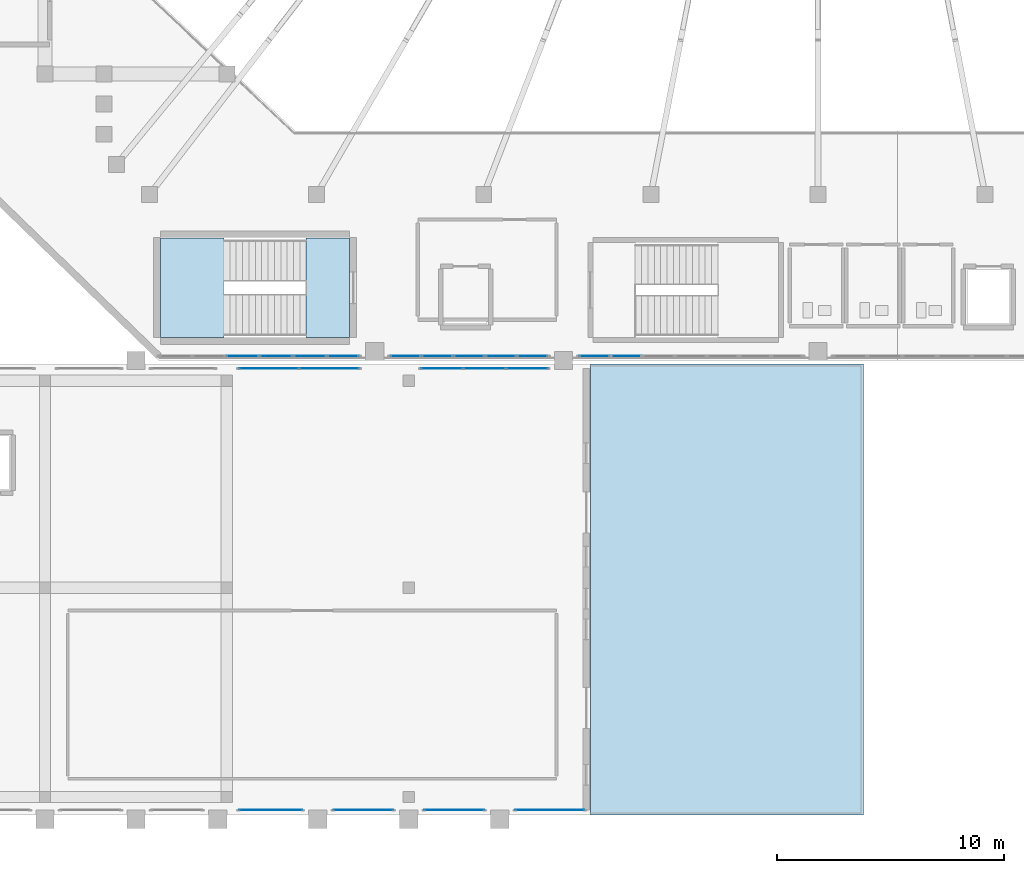
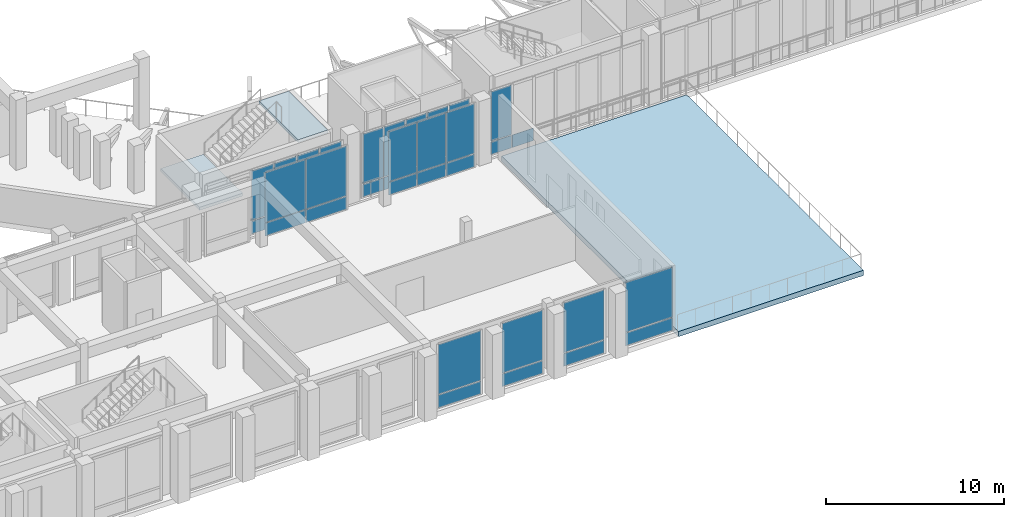
# One storey, part 42 of 79: 39 plates, 3 slabs, 10 elements without a shape of their own.
"""IFC4 building model written with IfcOpenShell, lengths in metres."""

from ifc_helpers import new_model, si_unit, derived_unit, direction, frame, origin, origin_2d, place, context, subcontext, project, spatial, polyline, rectangle, outline, extrude, material, layer, layer_set, type_object, element, aggregate, save


model = new_model("IFC4")

# Units and contexts
model_context = context("Model", 3, precision=1e-05, world=origin(), true_north=direction((0.0, 1.0)))
body_context = subcontext(model_context, "Body", "Model", "MODEL_VIEW")
ifc_project = project(units=[si_unit("LENGTHUNIT", "METRE"), si_unit("AREAUNIT", "SQUARE_METRE"), si_unit("VOLUMEUNIT", "CUBIC_METRE"), si_unit("PLANEANGLEUNIT", "RADIAN"), si_unit("MASSUNIT", "GRAM", prefix="KILO"), derived_unit("THERMALTRANSMITTANCEUNIT", [(si_unit("MASSUNIT", "GRAM", prefix="KILO"), 1), (si_unit("TIMEUNIT", "SECOND"), -3), (si_unit("THERMODYNAMICTEMPERATUREUNIT", "KELVIN"), -1)])], contexts=[model_context])

# Site, building, storey
site_placement = place(None, origin())
site = spatial("IfcSite", under=ifc_project, at=site_placement, CompositionType="ELEMENT")
building_placement = place(site_placement, origin())
building = spatial("IfcBuilding", under=site, at=building_placement, Name="Valcora Ridge Arena", CompositionType="ELEMENT")
storey_placement = place(building_placement, frame((0.0, 0.0, 16.199951171875)))
storey = spatial("IfcBuildingStorey", under=building, at=storey_placement, Name="L03", CompositionType="ELEMENT", Elevation=16.199951171875)

# Stair, slabs
ifc_material_1 = material(Name="Concrete C40/50", Category="concrete")
stair_type = type_object("IfcStairType", Name="TY-STAIR-ST01-48", PredefinedType="HALF_TURN_STAIR", material=ifc_material_1)
stair_placement = place(storey_placement, origin())
stair = element("IfcStair", 1, at=stair_placement, inside=storey, type_object=stair_type, Name="ST01-48 STR-CR-0005", PredefinedType="HALF_TURN_STAIR")
ifc_layer_1 = layer(ifc_material_1, 0.199951171875, Name="Concrete C40/50")
ifc_layer_set_1 = layer_set([ifc_layer_1], Name="Concrete C40/50")
slab_type_1 = type_object("IfcSlabType", Name="TY-LAND-ST01-48", PredefinedType="LANDING", material=ifc_layer_set_1)
slab_1_placement = place(storey_placement, frame((0.0, 0.0, 2.199951171875)))
slab_1 = element("IfcSlab", 2, at=slab_1_placement, type_object=slab_type_1, Name="ST01-48 landing 1", PredefinedType="LANDING", context=body_context, shape_type="SweptSolid", body=[
    extrude(outline(polyline([(29.08203125, 21.001953125), (31.8701171875, 21.001953125), (31.8701171875, 25.39794921875), (29.08203125, 25.39794921875), (29.08203125, 21.001953125)])), origin(), (0.0, 0.0, 1.0), 0.2001953125),
])
slab_2_placement = place(storey_placement, frame((0.0, 0.0, 4.60009765625)))
slab_2 = element("IfcSlab", 3, at=slab_2_placement, type_object=slab_type_1, Name="ST01-48 landing 2", PredefinedType="LANDING", context=body_context, shape_type="SweptSolid", body=[
    extrude(outline(polyline([(35.469970703125, 21.001953125), (37.39794921875, 21.001953125), (37.39794921875, 25.39794921875), (35.469970703125, 25.39794921875), (35.469970703125, 21.001953125)])), origin(), (0.0, 0.0, 1.0), 0.199951171875),
])
aggregate(stair, [slab_1, slab_2])

# Curtain wall, plates
ifc_material_2 = material(Name="Anodised dark bronze architectural aluminium 6063-T6", Category="aluminium")
ifc_layer_2 = layer(ifc_material_2, 0.179931640625, Name="Anodised dark bronze architectural aluminium 6063-T6")
ifc_layer_set_2 = layer_set([ifc_layer_2], Name="Anodised dark bronze architectural aluminium 6063-T6")
curtain_wall_type_1 = type_object("IfcCurtainWallType", Name="TY-CURTAINWALL-CW-V1-GOTH-070X44", PredefinedType="NOTDEFINED", material=ifc_layer_set_2)
curtain_wall_1_placement = place(storey_placement, origin())
curtain_wall_1 = element("IfcCurtainWall", 4, at=curtain_wall_1_placement, inside=storey, type_object=curtain_wall_type_1, Name="CW-V1-GOTH-070X44 CW-0137", PredefinedType="NOTDEFINED")
ifc_material_3 = material(Name="Low-iron solar-control double glazing SHGC 0.28", Category="glass")
ifc_layer_3 = layer(ifc_material_3, 0.031982421875, Name="Low-iron solar-control double glazing SHGC 0.28")
ifc_layer_set_3 = layer_set([ifc_layer_3], Name="Low-iron solar-control double glazing SHGC 0.28")
plate_type_1 = type_object("IfcPlateType", Name="TY-PLT-CWP-1314X0860", PredefinedType="CURTAIN_PANEL", material=ifc_layer_set_3)
plate_1_placement = place(storey_placement, frame((39.85693359375, 20.199951171875, 0.06005859375), z_axis=(0.0, 0.0, 1.0), x_axis=(1.0, 0.0, 0.0)))
plate_1 = element("IfcPlate", 5, at=plate_1_placement, type_object=plate_type_1, Name="CW-0137/P00-00", PredefinedType="CURTAIN_PANEL", context=body_context, shape_type="SweptSolid", body=[
    extrude(rectangle(XDim=1.31396484375, YDim=0.031982421875, at=origin_2d()), origin(), (0.0, 0.0, 1.0), 0.860107421875),
])
plate_2_placement = place(storey_placement, frame((45.443115234375, 20.199951171875, 0.06005859375), z_axis=(0.0, 0.0, 1.0), x_axis=(1.0, 0.0, 0.0)))
plate_2 = element("IfcPlate", 6, at=plate_2_placement, type_object=plate_type_1, Name="CW-0137/P04-00", PredefinedType="CURTAIN_PANEL", context=body_context, shape_type="SweptSolid", body=[
    extrude(rectangle(XDim=1.31396484375, YDim=0.031982421875, at=origin_2d()), origin(), (0.0, 0.0, 1.0), 0.860107421875),
])
ifc_layer_4 = layer(ifc_material_3, 0.031982421875, Name="Low-iron solar-control double glazing SHGC 0.28")
ifc_layer_set_4 = layer_set([ifc_layer_4], Name="Low-iron solar-control double glazing SHGC 0.28")
plate_type_2 = type_object("IfcPlateType", Name="TY-PLT-CWP-1314X3400", PredefinedType="CURTAIN_PANEL", material=ifc_layer_set_4)
plate_3_placement = place(storey_placement, frame((39.85693359375, 20.199951171875, 0.97998046875), z_axis=(0.0, 0.0, 1.0), x_axis=(1.0, 0.0, 0.0)))
plate_3 = element("IfcPlate", 7, at=plate_3_placement, type_object=plate_type_2, Name="CW-0137/P00-01", PredefinedType="CURTAIN_PANEL", context=body_context, shape_type="SweptSolid", body=[
    extrude(rectangle(XDim=1.31396484375, YDim=0.031982421875, at=origin_2d()), origin(), (0.0, 0.0, 1.0), 3.39990234375),
])
plate_4_placement = place(storey_placement, frame((45.443115234375, 20.199951171875, 0.97998046875), z_axis=(0.0, 0.0, 1.0), x_axis=(1.0, 0.0, 0.0)))
plate_4 = element("IfcPlate", 8, at=plate_4_placement, type_object=plate_type_2, Name="CW-0137/P04-01", PredefinedType="CURTAIN_PANEL", context=body_context, shape_type="SweptSolid", body=[
    extrude(rectangle(XDim=1.31396484375, YDim=0.031982421875, at=origin_2d()), origin(), (0.0, 0.0, 1.0), 3.39990234375),
])

ifc_layer_5 = layer(ifc_material_2, 0.179931640625, Name="Anodised dark bronze architectural aluminium 6063-T6")
ifc_layer_set_5 = layer_set([ifc_layer_5], Name="Anodised dark bronze architectural aluminium 6063-T6")
curtain_wall_type_2 = type_object("IfcCurtainWallType", Name="TY-CURTAINWALL-CW-V1-GOTH-099X44", PredefinedType="NOTDEFINED", material=ifc_layer_set_5)
curtain_wall_2_placement = place(storey_placement, origin())
curtain_wall_2 = element("IfcCurtainWall", 9, at=curtain_wall_2_placement, inside=storey, type_object=curtain_wall_type_2, Name="CW-V1-GOTH-099X44 CW-0138", PredefinedType="NOTDEFINED")
ifc_layer_6 = layer(ifc_material_3, 0.031982421875, Name="Low-iron solar-control double glazing SHGC 0.28")
ifc_layer_set_6 = layer_set([ifc_layer_6], Name="Low-iron solar-control double glazing SHGC 0.28")
plate_type_3 = type_object("IfcPlateType", Name="TY-PLT-CWP-1327X0860", PredefinedType="CURTAIN_PANEL", material=ifc_layer_set_6)
plate_5_placement = place(storey_placement, frame((48.16357421875, 20.199951171875, 0.06005859375), z_axis=(0.0, 0.0, 1.0), x_axis=(1.0, 0.0, 0.0)))
plate_5 = element("IfcPlate", 10, at=plate_5_placement, type_object=plate_type_3, Name="CW-0138/P00-00", PredefinedType="CURTAIN_PANEL", context=body_context, shape_type="SweptSolid", body=[
    extrude(rectangle(XDim=1.326904296875, YDim=0.031982421875, at=origin_2d()), origin(), (0.0, 0.0, 1.0), 0.860107421875),
])
ifc_layer_7 = layer(ifc_material_3, 0.031982421875, Name="Low-iron solar-control double glazing SHGC 0.28")
ifc_layer_set_7 = layer_set([ifc_layer_7], Name="Low-iron solar-control double glazing SHGC 0.28")
plate_type_4 = type_object("IfcPlateType", Name="TY-PLT-CWP-1327X3400", PredefinedType="CURTAIN_PANEL", material=ifc_layer_set_7)
plate_6_placement = place(storey_placement, frame((48.16357421875, 20.199951171875, 0.97998046875), z_axis=(0.0, 0.0, 1.0), x_axis=(1.0, 0.0, 0.0)))
plate_6 = element("IfcPlate", 11, at=plate_6_placement, type_object=plate_type_4, Name="CW-0138/P00-01", PredefinedType="CURTAIN_PANEL", context=body_context, shape_type="SweptSolid", body=[
    extrude(rectangle(XDim=1.326904296875, YDim=0.031982421875, at=origin_2d()), origin(), (0.0, 0.0, 1.0), 3.39990234375),
])

# Plate
ifc_layer_8 = layer(ifc_material_3, 0.031982421875, Name="Low-iron solar-control double glazing SHGC 0.28")
ifc_layer_set_8 = layer_set([ifc_layer_8], Name="Low-iron solar-control double glazing SHGC 0.28")
plate_type_5 = type_object("IfcPlateType", Name="TY-PLT-CWP-1344X0860", PredefinedType="CURTAIN_PANEL", material=ifc_layer_set_8)
plate_7_placement = place(storey_placement, frame((41.24609375, 20.199951171875, 0.06005859375), z_axis=(0.0, 0.0, 1.0), x_axis=(1.0, 0.0, 0.0)))
plate_7 = element("IfcPlate", 12, at=plate_7_placement, type_object=plate_type_5, Name="CW-0137/P01-00", PredefinedType="CURTAIN_PANEL", context=body_context, shape_type="SweptSolid", body=[
    extrude(rectangle(XDim=1.343994140625, YDim=0.031982421875, at=origin_2d()), origin(), (0.0, 0.0, 1.0), 0.860107421875),
])

plate_8_placement = place(storey_placement, frame((42.64990234375, 20.199951171875, 0.06005859375), z_axis=(0.0, 0.0, 1.0), x_axis=(1.0, 0.0, 0.0)))
plate_8 = element("IfcPlate", 13, at=plate_8_placement, type_object=plate_type_5, Name="CW-0137/P02-00", PredefinedType="CURTAIN_PANEL", context=body_context, shape_type="SweptSolid", body=[
    extrude(rectangle(XDim=1.343994140625, YDim=0.031982421875, at=origin_2d()), origin(), (0.0, 0.0, 1.0), 0.860107421875),
])

plate_9_placement = place(storey_placement, frame((44.053955078125, 20.199951171875, 0.06005859375), z_axis=(0.0, 0.0, 1.0), x_axis=(1.0, 0.0, 0.0)))
plate_9 = element("IfcPlate", 14, at=plate_9_placement, type_object=plate_type_5, Name="CW-0137/P03-00", PredefinedType="CURTAIN_PANEL", context=body_context, shape_type="SweptSolid", body=[
    extrude(rectangle(XDim=1.343994140625, YDim=0.031982421875, at=origin_2d()), origin(), (0.0, 0.0, 1.0), 0.860107421875),
])

ifc_layer_9 = layer(ifc_material_3, 0.031982421875, Name="Low-iron solar-control double glazing SHGC 0.28")
ifc_layer_set_9 = layer_set([ifc_layer_9], Name="Low-iron solar-control double glazing SHGC 0.28")
plate_type_6 = type_object("IfcPlateType", Name="TY-PLT-CWP-1344X3400", PredefinedType="CURTAIN_PANEL", material=ifc_layer_set_9)
plate_10_placement = place(storey_placement, frame((41.24609375, 20.199951171875, 0.97998046875), z_axis=(0.0, 0.0, 1.0), x_axis=(1.0, 0.0, 0.0)))
plate_10 = element("IfcPlate", 15, at=plate_10_placement, type_object=plate_type_6, Name="CW-0137/P01-01", PredefinedType="CURTAIN_PANEL", context=body_context, shape_type="SweptSolid", body=[
    extrude(rectangle(XDim=1.343994140625, YDim=0.031982421875, at=origin_2d()), origin(), (0.0, 0.0, 1.0), 3.39990234375),
])

plate_11_placement = place(storey_placement, frame((42.64990234375, 20.199951171875, 0.97998046875), z_axis=(0.0, 0.0, 1.0), x_axis=(1.0, 0.0, 0.0)))
plate_11 = element("IfcPlate", 16, at=plate_11_placement, type_object=plate_type_6, Name="CW-0137/P02-01", PredefinedType="CURTAIN_PANEL", context=body_context, shape_type="SweptSolid", body=[
    extrude(rectangle(XDim=1.343994140625, YDim=0.031982421875, at=origin_2d()), origin(), (0.0, 0.0, 1.0), 3.39990234375),
])

plate_12_placement = place(storey_placement, frame((44.053955078125, 20.199951171875, 0.97998046875), z_axis=(0.0, 0.0, 1.0), x_axis=(1.0, 0.0, 0.0)))
plate_12 = element("IfcPlate", 17, at=plate_12_placement, type_object=plate_type_6, Name="CW-0137/P03-01", PredefinedType="CURTAIN_PANEL", context=body_context, shape_type="SweptSolid", body=[
    extrude(rectangle(XDim=1.343994140625, YDim=0.031982421875, at=origin_2d()), origin(), (0.0, 0.0, 1.0), 3.39990234375),
])

aggregate(curtain_wall_1, [plate_1, plate_3, plate_7, plate_10, plate_8, plate_11, plate_9, plate_12, plate_2, plate_4])

ifc_layer_10 = layer(ifc_material_3, 0.031982421875, Name="Low-iron solar-control double glazing SHGC 0.28")
ifc_layer_set_10 = layer_set([ifc_layer_10], Name="Low-iron solar-control double glazing SHGC 0.28")
plate_type_7 = type_object("IfcPlateType", Name="TY-PLT-CWP-1357X0860", PredefinedType="CURTAIN_PANEL", material=ifc_layer_set_10)
plate_13_placement = place(storey_placement, frame((49.5654296875, 20.199951171875, 0.06005859375), z_axis=(0.0, 0.0, 1.0), x_axis=(1.0, 0.0, 0.0)))
plate_13 = element("IfcPlate", 18, at=plate_13_placement, type_object=plate_type_7, Name="CW-0138/P01-00", PredefinedType="CURTAIN_PANEL", context=body_context, shape_type="SweptSolid", body=[
    extrude(rectangle(XDim=1.35693359375, YDim=0.031982421875, at=origin_2d()), origin(), (0.0, 0.0, 1.0), 0.860107421875),
])

aggregate(curtain_wall_2, [plate_5, plate_6, plate_13])

# Curtain wall, plates
ifc_layer_11 = layer(ifc_material_2, 0.179931640625, Name="Anodised dark bronze architectural aluminium 6063-T6")
ifc_layer_set_11 = layer_set([ifc_layer_11], Name="Anodised dark bronze architectural aluminium 6063-T6")
curtain_wall_type_3 = type_object("IfcCurtainWallType", Name="TY-CURTAINWALL-CW-V1-GOTH-089X44", PredefinedType="NOTDEFINED", material=ifc_layer_set_11)
curtain_wall_3_placement = place(storey_placement, origin())
curtain_wall_3 = element("IfcCurtainWall", 19, at=curtain_wall_3_placement, inside=storey, type_object=curtain_wall_type_3, Name="CW-V1-GOTH-089X44 CW-0136", PredefinedType="NOTDEFINED")
ifc_layer_12 = layer(ifc_material_3, 0.031982421875, Name="Low-iron solar-control double glazing SHGC 0.28")
ifc_layer_set_12 = layer_set([ifc_layer_12], Name="Low-iron solar-control double glazing SHGC 0.28")
plate_type_8 = type_object("IfcPlateType", Name="TY-PLT-CWP-1387X0860", PredefinedType="CURTAIN_PANEL", material=ifc_layer_set_12)
plate_14_placement = place(storey_placement, frame((37.1064453125, 20.199951171875, 0.06005859375), z_axis=(0.0, 0.0, 1.0), x_axis=(1.0, 0.0, 0.0)))
plate_14 = element("IfcPlate", 20, at=plate_14_placement, type_object=plate_type_8, Name="CW-0136/P05-00", PredefinedType="CURTAIN_PANEL", context=body_context, shape_type="SweptSolid", body=[
    extrude(rectangle(XDim=1.386962890625, YDim=0.031982421875, at=origin_2d()), origin(), (0.0, 0.0, 1.0), 0.860107421875),
])
ifc_layer_13 = layer(ifc_material_3, 0.031982421875, Name="Low-iron solar-control double glazing SHGC 0.28")
ifc_layer_set_13 = layer_set([ifc_layer_13], Name="Low-iron solar-control double glazing SHGC 0.28")
plate_type_9 = type_object("IfcPlateType", Name="TY-PLT-CWP-1387X3400", PredefinedType="CURTAIN_PANEL", material=ifc_layer_set_13)
plate_15_placement = place(storey_placement, frame((37.1064453125, 20.199951171875, 0.97998046875), z_axis=(0.0, 0.0, 1.0), x_axis=(1.0, 0.0, 0.0)))
plate_15 = element("IfcPlate", 21, at=plate_15_placement, type_object=plate_type_9, Name="CW-0136/P05-01", PredefinedType="CURTAIN_PANEL", context=body_context, shape_type="SweptSolid", body=[
    extrude(rectangle(XDim=1.386962890625, YDim=0.031982421875, at=origin_2d()), origin(), (0.0, 0.0, 1.0), 3.39990234375),
])
ifc_layer_14 = layer(ifc_material_3, 0.031982421875, Name="Low-iron solar-control double glazing SHGC 0.28")
ifc_layer_set_14 = layer_set([ifc_layer_14], Name="Low-iron solar-control double glazing SHGC 0.28")
plate_type_10 = type_object("IfcPlateType", Name="TY-PLT-CWP-1416X0860", PredefinedType="CURTAIN_PANEL", material=ifc_layer_set_14)
plate_16_placement = place(storey_placement, frame((35.64501953125, 20.199951171875, 0.06005859375), z_axis=(0.0, 0.0, 1.0), x_axis=(1.0, 0.0, 0.0)))
plate_16 = element("IfcPlate", 22, at=plate_16_placement, type_object=plate_type_10, Name="CW-0136/P04-00", PredefinedType="CURTAIN_PANEL", context=body_context, shape_type="SweptSolid", body=[
    extrude(rectangle(XDim=1.416015625, YDim=0.031982421875, at=origin_2d()), origin(), (0.0, 0.0, 1.0), 0.860107421875),
])
ifc_layer_15 = layer(ifc_material_3, 0.031982421875, Name="Low-iron solar-control double glazing SHGC 0.28")
ifc_layer_set_15 = layer_set([ifc_layer_15], Name="Low-iron solar-control double glazing SHGC 0.28")
plate_type_11 = type_object("IfcPlateType", Name="TY-PLT-CWP-1416X3400", PredefinedType="CURTAIN_PANEL", material=ifc_layer_set_15)
plate_17_placement = place(storey_placement, frame((35.64501953125, 20.199951171875, 0.97998046875), z_axis=(0.0, 0.0, 1.0), x_axis=(1.0, 0.0, 0.0)))
plate_17 = element("IfcPlate", 23, at=plate_17_placement, type_object=plate_type_11, Name="CW-0136/P04-01", PredefinedType="CURTAIN_PANEL", context=body_context, shape_type="SweptSolid", body=[
    extrude(rectangle(XDim=1.416015625, YDim=0.031982421875, at=origin_2d()), origin(), (0.0, 0.0, 1.0), 3.39990234375),
])
ifc_layer_16 = layer(ifc_material_3, 0.031982421875, Name="Low-iron solar-control double glazing SHGC 0.28")
ifc_layer_set_16 = layer_set([ifc_layer_16], Name="Low-iron solar-control double glazing SHGC 0.28")
plate_type_12 = type_object("IfcPlateType", Name="TY-PLT-CWP-1417X0860", PredefinedType="CURTAIN_PANEL", material=ifc_layer_set_16)
plate_18_placement = place(storey_placement, frame((32.69140625, 20.199951171875, 0.06005859375), z_axis=(0.0, 0.0, 1.0), x_axis=(1.0, 0.0, 0.0)))
plate_18 = element("IfcPlate", 24, at=plate_18_placement, type_object=plate_type_12, Name="CW-0136/P02-00", PredefinedType="CURTAIN_PANEL", context=body_context, shape_type="SweptSolid", body=[
    extrude(rectangle(XDim=1.4169921875, YDim=0.031982421875, at=origin_2d()), origin(), (0.0, 0.0, 1.0), 0.860107421875),
])
plate_19_placement = place(storey_placement, frame((34.16845703125, 20.199951171875, 0.06005859375), z_axis=(0.0, 0.0, 1.0), x_axis=(1.0, 0.0, 0.0)))
plate_19 = element("IfcPlate", 25, at=plate_19_placement, type_object=plate_type_12, Name="CW-0136/P03-00", PredefinedType="CURTAIN_PANEL", context=body_context, shape_type="SweptSolid", body=[
    extrude(rectangle(XDim=1.4169921875, YDim=0.031982421875, at=origin_2d()), origin(), (0.0, 0.0, 1.0), 0.860107421875),
])
ifc_layer_17 = layer(ifc_material_3, 0.031982421875, Name="Low-iron solar-control double glazing SHGC 0.28")
ifc_layer_set_17 = layer_set([ifc_layer_17], Name="Low-iron solar-control double glazing SHGC 0.28")
plate_type_13 = type_object("IfcPlateType", Name="TY-PLT-CWP-1417X3400", PredefinedType="CURTAIN_PANEL", material=ifc_layer_set_17)
plate_20_placement = place(storey_placement, frame((32.69140625, 20.199951171875, 0.97998046875), z_axis=(0.0, 0.0, 1.0), x_axis=(1.0, 0.0, 0.0)))
plate_20 = element("IfcPlate", 26, at=plate_20_placement, type_object=plate_type_13, Name="CW-0136/P02-01", PredefinedType="CURTAIN_PANEL", context=body_context, shape_type="SweptSolid", body=[
    extrude(rectangle(XDim=1.4169921875, YDim=0.031982421875, at=origin_2d()), origin(), (0.0, 0.0, 1.0), 3.39990234375),
])
plate_21_placement = place(storey_placement, frame((34.16845703125, 20.199951171875, 0.97998046875), z_axis=(0.0, 0.0, 1.0), x_axis=(1.0, 0.0, 0.0)))
plate_21 = element("IfcPlate", 27, at=plate_21_placement, type_object=plate_type_13, Name="CW-0136/P03-01", PredefinedType="CURTAIN_PANEL", context=body_context, shape_type="SweptSolid", body=[
    extrude(rectangle(XDim=1.4169921875, YDim=0.031982421875, at=origin_2d()), origin(), (0.0, 0.0, 1.0), 3.39990234375),
])
aggregate(curtain_wall_3, [plate_18, plate_20, plate_19, plate_21, plate_16, plate_17, plate_14, plate_15])

ifc_layer_18 = layer(ifc_material_2, 0.14990234375, Name="Anodised dark bronze architectural aluminium 6063-T6")
ifc_layer_set_18 = layer_set([ifc_layer_18], Name="Anodised dark bronze architectural aluminium 6063-T6")
curtain_wall_type_4 = type_object("IfcCurtainWallType", Name="TY-CURTAINWALL-CW-V4-CLUB-057X44", PredefinedType="NOTDEFINED", material=ifc_layer_set_18)
curtain_wall_4_placement = place(storey_placement, origin())
curtain_wall_4 = element("IfcCurtainWall", 28, at=curtain_wall_4_placement, inside=storey, type_object=curtain_wall_type_4, Name="CW-V4-CLUB-057X44 CW-0284", PredefinedType="NOTDEFINED")
ifc_layer_19 = layer(ifc_material_3, 0.028076171875, Name="Low-iron solar-control double glazing SHGC 0.28")
ifc_layer_set_19 = layer_set([ifc_layer_19], Name="Low-iron solar-control double glazing SHGC 0.28")
plate_type_14 = type_object("IfcPlateType", Name="TY-PLT-CWP-1815X0875", PredefinedType="CURTAIN_PANEL", material=ifc_layer_set_19)
plate_22_placement = place(storey_placement, frame((41.447509765625, 19.64990234375, 0.050048828125), z_axis=(0.0, 0.0, 1.0), x_axis=(1.0, 0.0, 0.0)))
plate_22 = element("IfcPlate", 29, at=plate_22_placement, type_object=plate_type_14, Name="CW-0284/P00-00", PredefinedType="CURTAIN_PANEL", context=body_context, shape_type="SweptSolid", body=[
    extrude(rectangle(XDim=1.81494140625, YDim=0.028076171875, at=origin_2d()), origin(), (0.0, 0.0, 1.0), 0.875),
])
plate_23_placement = place(storey_placement, frame((45.202392578125, 19.64990234375, 0.050048828125), z_axis=(0.0, 0.0, 1.0), x_axis=(1.0, 0.0, 0.0)))
plate_23 = element("IfcPlate", 30, at=plate_23_placement, type_object=plate_type_14, Name="CW-0284/P02-00", PredefinedType="CURTAIN_PANEL", context=body_context, shape_type="SweptSolid", body=[
    extrude(rectangle(XDim=1.81494140625, YDim=0.028076171875, at=origin_2d()), origin(), (0.0, 0.0, 1.0), 0.875),
])
ifc_layer_20 = layer(ifc_material_3, 0.028076171875, Name="Low-iron solar-control double glazing SHGC 0.28")
ifc_layer_set_20 = layer_set([ifc_layer_20], Name="Low-iron solar-control double glazing SHGC 0.28")
plate_type_15 = type_object("IfcPlateType", Name="TY-PLT-CWP-1815X3415", PredefinedType="CURTAIN_PANEL", material=ifc_layer_set_20)
plate_24_placement = place(storey_placement, frame((41.447509765625, 19.64990234375, 0.97509765625), z_axis=(0.0, 0.0, 1.0), x_axis=(1.0, 0.0, 0.0)))
plate_24 = element("IfcPlate", 31, at=plate_24_placement, type_object=plate_type_15, Name="CW-0284/P00-01", PredefinedType="CURTAIN_PANEL", context=body_context, shape_type="SweptSolid", body=[
    extrude(rectangle(XDim=1.81494140625, YDim=0.028076171875, at=origin_2d()), origin(), (0.0, 0.0, 1.0), 3.4150390625),
])
plate_25_placement = place(storey_placement, frame((45.202392578125, 19.64990234375, 0.97509765625), z_axis=(0.0, 0.0, 1.0), x_axis=(1.0, 0.0, 0.0)))
plate_25 = element("IfcPlate", 32, at=plate_25_placement, type_object=plate_type_15, Name="CW-0284/P02-01", PredefinedType="CURTAIN_PANEL", context=body_context, shape_type="SweptSolid", body=[
    extrude(rectangle(XDim=1.81494140625, YDim=0.028076171875, at=origin_2d()), origin(), (0.0, 0.0, 1.0), 3.4150390625),
])
ifc_layer_21 = layer(ifc_material_3, 0.028076171875, Name="Low-iron solar-control double glazing SHGC 0.28")
ifc_layer_set_21 = layer_set([ifc_layer_21], Name="Low-iron solar-control double glazing SHGC 0.28")
plate_type_16 = type_object("IfcPlateType", Name="TY-PLT-CWP-1840X0875", PredefinedType="CURTAIN_PANEL", material=ifc_layer_set_21)
plate_26_placement = place(storey_placement, frame((43.324951171875, 19.64990234375, 0.050048828125), z_axis=(0.0, 0.0, 1.0), x_axis=(1.0, 0.0, 0.0)))
plate_26 = element("IfcPlate", 33, at=plate_26_placement, type_object=plate_type_16, Name="CW-0284/P01-00", PredefinedType="CURTAIN_PANEL", context=body_context, shape_type="SweptSolid", body=[
    extrude(rectangle(XDim=1.840087890625, YDim=0.028076171875, at=origin_2d()), origin(), (0.0, 0.0, 1.0), 0.875),
])
ifc_layer_22 = layer(ifc_material_3, 0.028076171875, Name="Low-iron solar-control double glazing SHGC 0.28")
ifc_layer_set_22 = layer_set([ifc_layer_22], Name="Low-iron solar-control double glazing SHGC 0.28")
plate_type_17 = type_object("IfcPlateType", Name="TY-PLT-CWP-1840X3415", PredefinedType="CURTAIN_PANEL", material=ifc_layer_set_22)
plate_27_placement = place(storey_placement, frame((43.324951171875, 19.64990234375, 0.97509765625), z_axis=(0.0, 0.0, 1.0), x_axis=(1.0, 0.0, 0.0)))
plate_27 = element("IfcPlate", 34, at=plate_27_placement, type_object=plate_type_17, Name="CW-0284/P01-01", PredefinedType="CURTAIN_PANEL", context=body_context, shape_type="SweptSolid", body=[
    extrude(rectangle(XDim=1.840087890625, YDim=0.028076171875, at=origin_2d()), origin(), (0.0, 0.0, 1.0), 3.4150390625),
])
aggregate(curtain_wall_4, [plate_22, plate_24, plate_26, plate_27, plate_23, plate_25])

ifc_layer_23 = layer(ifc_material_2, 0.14990234375, Name="Anodised dark bronze architectural aluminium 6063-T6")
ifc_layer_set_23 = layer_set([ifc_layer_23], Name="Anodised dark bronze architectural aluminium 6063-T6")
curtain_wall_type_5 = type_object("IfcCurtainWallType", Name="TY-CURTAINWALL-CW-V4-CLUB-054X44", PredefinedType="NOTDEFINED", material=ifc_layer_set_23)
curtain_wall_5_placement = place(storey_placement, origin())
curtain_wall_5 = element("IfcCurtainWall", 35, at=curtain_wall_5_placement, inside=storey, type_object=curtain_wall_type_5, Name="CW-V4-CLUB-054X44 CW-0283", PredefinedType="NOTDEFINED")
ifc_layer_24 = layer(ifc_material_3, 0.028076171875, Name="Low-iron solar-control double glazing SHGC 0.28")
ifc_layer_set_24 = layer_set([ifc_layer_24], Name="Low-iron solar-control double glazing SHGC 0.28")
plate_type_18 = type_object("IfcPlateType", Name="TY-PLT-CWP-2610X0875", PredefinedType="CURTAIN_PANEL", material=ifc_layer_set_24)
plate_28_placement = place(storey_placement, frame((33.844970703125, 19.64990234375, 0.050048828125), z_axis=(0.0, 0.0, 1.0), x_axis=(1.0, 0.0, 0.0)))
plate_28 = element("IfcPlate", 36, at=plate_28_placement, type_object=plate_type_18, Name="CW-0283/P00-00", PredefinedType="CURTAIN_PANEL", context=body_context, shape_type="SweptSolid", body=[
    extrude(rectangle(XDim=2.610107421875, YDim=0.028076171875, at=origin_2d()), origin(), (0.0, 0.0, 1.0), 0.875),
])
plate_29_placement = place(storey_placement, frame((36.5048828125, 19.64990234375, 0.050048828125), z_axis=(0.0, 0.0, 1.0), x_axis=(1.0, 0.0, 0.0)))
plate_29 = element("IfcPlate", 37, at=plate_29_placement, type_object=plate_type_18, Name="CW-0283/P01-00", PredefinedType="CURTAIN_PANEL", context=body_context, shape_type="SweptSolid", body=[
    extrude(rectangle(XDim=2.610107421875, YDim=0.028076171875, at=origin_2d()), origin(), (0.0, 0.0, 1.0), 0.875),
])
ifc_layer_25 = layer(ifc_material_3, 0.028076171875, Name="Low-iron solar-control double glazing SHGC 0.28")
ifc_layer_set_25 = layer_set([ifc_layer_25], Name="Low-iron solar-control double glazing SHGC 0.28")
plate_type_19 = type_object("IfcPlateType", Name="TY-PLT-CWP-2610X3415", PredefinedType="CURTAIN_PANEL", material=ifc_layer_set_25)
plate_30_placement = place(storey_placement, frame((33.844970703125, 19.64990234375, 0.97509765625), z_axis=(0.0, 0.0, 1.0), x_axis=(1.0, 0.0, 0.0)))
plate_30 = element("IfcPlate", 38, at=plate_30_placement, type_object=plate_type_19, Name="CW-0283/P00-01", PredefinedType="CURTAIN_PANEL", context=body_context, shape_type="SweptSolid", body=[
    extrude(rectangle(XDim=2.610107421875, YDim=0.028076171875, at=origin_2d()), origin(), (0.0, 0.0, 1.0), 3.4150390625),
])
plate_31_placement = place(storey_placement, frame((36.5048828125, 19.64990234375, 0.97509765625), z_axis=(0.0, 0.0, 1.0), x_axis=(1.0, 0.0, 0.0)))
plate_31 = element("IfcPlate", 39, at=plate_31_placement, type_object=plate_type_19, Name="CW-0283/P01-01", PredefinedType="CURTAIN_PANEL", context=body_context, shape_type="SweptSolid", body=[
    extrude(rectangle(XDim=2.610107421875, YDim=0.028076171875, at=origin_2d()), origin(), (0.0, 0.0, 1.0), 3.4150390625),
])
aggregate(curtain_wall_5, [plate_28, plate_30, plate_29, plate_31])

# Curtain wall, plate
ifc_layer_26 = layer(ifc_material_2, 0.14990234375, Name="Anodised dark bronze architectural aluminium 6063-T6")
ifc_layer_set_26 = layer_set([ifc_layer_26], Name="Anodised dark bronze architectural aluminium 6063-T6")
curtain_wall_type_6 = type_object("IfcCurtainWallType", Name="TY-CURTAINWALL-CW-V4-CLUB-027X44", PredefinedType="NOTDEFINED", material=ifc_layer_set_26)
curtain_wall_6_placement = place(storey_placement, origin())
curtain_wall_6 = element("IfcCurtainWall", 40, at=curtain_wall_6_placement, inside=storey, type_object=curtain_wall_type_6, Name="CW-V4-CLUB-027X44 CW-0276", PredefinedType="NOTDEFINED")
ifc_layer_27 = layer(ifc_material_3, 0.028076171875, Name="Low-iron solar-control double glazing SHGC 0.28")
ifc_layer_set_27 = layer_set([ifc_layer_27], Name="Low-iron solar-control double glazing SHGC 0.28")
plate_type_20 = type_object("IfcPlateType", Name="TY-PLT-CWP-2620X0875", PredefinedType="CURTAIN_PANEL", material=ifc_layer_set_27)
plate_32_placement = place(storey_placement, frame((38.0, 0.219970703125, 0.050048828125), z_axis=(0.0, 0.0, 1.0), x_axis=(1.0, 0.0, 0.0)))
plate_32 = element("IfcPlate", 41, at=plate_32_placement, type_object=plate_type_20, Name="CW-0276/P00-00", PredefinedType="CURTAIN_PANEL", context=body_context, shape_type="SweptSolid", body=[
    extrude(rectangle(XDim=2.6201171875, YDim=0.028076171875, at=origin_2d()), origin(), (0.0, 0.0, 1.0), 0.875),
])

curtain_wall_7_placement = place(storey_placement, origin())
curtain_wall_7 = element("IfcCurtainWall", 42, at=curtain_wall_7_placement, inside=storey, type_object=curtain_wall_type_6, Name="CW-V4-CLUB-027X44 CW-0277", PredefinedType="NOTDEFINED")
plate_33_placement = place(storey_placement, frame((42.0, 0.219970703125, 0.050048828125), z_axis=(0.0, 0.0, 1.0), x_axis=(1.0, 0.0, 0.0)))
plate_33 = element("IfcPlate", 43, at=plate_33_placement, type_object=plate_type_20, Name="CW-0277/P00-00", PredefinedType="CURTAIN_PANEL", context=body_context, shape_type="SweptSolid", body=[
    extrude(rectangle(XDim=2.6201171875, YDim=0.028076171875, at=origin_2d()), origin(), (0.0, 0.0, 1.0), 0.875),
])

# Plate
ifc_layer_28 = layer(ifc_material_3, 0.028076171875, Name="Low-iron solar-control double glazing SHGC 0.28")
ifc_layer_set_28 = layer_set([ifc_layer_28], Name="Low-iron solar-control double glazing SHGC 0.28")
plate_type_21 = type_object("IfcPlateType", Name="TY-PLT-CWP-2620X3415", PredefinedType="CURTAIN_PANEL", material=ifc_layer_set_28)
plate_34_placement = place(storey_placement, frame((38.0, 0.219970703125, 0.97509765625), z_axis=(0.0, 0.0, 1.0), x_axis=(1.0, 0.0, 0.0)))
plate_34 = element("IfcPlate", 44, at=plate_34_placement, type_object=plate_type_21, Name="CW-0276/P00-01", PredefinedType="CURTAIN_PANEL", context=body_context, shape_type="SweptSolid", body=[
    extrude(rectangle(XDim=2.6201171875, YDim=0.028076171875, at=origin_2d()), origin(), (0.0, 0.0, 1.0), 3.4150390625),
])

aggregate(curtain_wall_6, [plate_32, plate_34])

plate_35_placement = place(storey_placement, frame((42.0, 0.219970703125, 0.97509765625), z_axis=(0.0, 0.0, 1.0), x_axis=(1.0, 0.0, 0.0)))
plate_35 = element("IfcPlate", 45, at=plate_35_placement, type_object=plate_type_21, Name="CW-0277/P00-01", PredefinedType="CURTAIN_PANEL", context=body_context, shape_type="SweptSolid", body=[
    extrude(rectangle(XDim=2.6201171875, YDim=0.028076171875, at=origin_2d()), origin(), (0.0, 0.0, 1.0), 3.4150390625),
])

aggregate(curtain_wall_7, [plate_33, plate_35])

# Curtain wall, plates
ifc_layer_29 = layer(ifc_material_2, 0.14990234375, Name="Anodised dark bronze architectural aluminium 6063-T6")
ifc_layer_set_29 = layer_set([ifc_layer_29], Name="Anodised dark bronze architectural aluminium 6063-T6")
curtain_wall_type_7 = type_object("IfcCurtainWallType", Name="TY-CURTAINWALL-CW-V4-CLUB-029X44", PredefinedType="NOTDEFINED", material=ifc_layer_set_29)
curtain_wall_8_placement = place(storey_placement, origin())
curtain_wall_8 = element("IfcCurtainWall", 46, at=curtain_wall_8_placement, inside=storey, type_object=curtain_wall_type_7, Name="CW-V4-CLUB-029X44 CW-0275", PredefinedType="NOTDEFINED")
ifc_layer_30 = layer(ifc_material_3, 0.028076171875, Name="Low-iron solar-control double glazing SHGC 0.28")
ifc_layer_set_30 = layer_set([ifc_layer_30], Name="Low-iron solar-control double glazing SHGC 0.28")
plate_type_22 = type_object("IfcPlateType", Name="TY-PLT-CWP-2770X0875", PredefinedType="CURTAIN_PANEL", material=ifc_layer_set_30)
plate_36_placement = place(storey_placement, frame((33.925048828125, 0.219970703125, 0.050048828125), z_axis=(0.0, 0.0, 1.0), x_axis=(1.0, 0.0, 0.0)))
plate_36 = element("IfcPlate", 47, at=plate_36_placement, type_object=plate_type_22, Name="CW-0275/P00-00", PredefinedType="CURTAIN_PANEL", context=body_context, shape_type="SweptSolid", body=[
    extrude(rectangle(XDim=2.77001953125, YDim=0.028076171875, at=origin_2d()), origin(), (0.0, 0.0, 1.0), 0.875),
])
ifc_layer_31 = layer(ifc_material_3, 0.028076171875, Name="Low-iron solar-control double glazing SHGC 0.28")
ifc_layer_set_31 = layer_set([ifc_layer_31], Name="Low-iron solar-control double glazing SHGC 0.28")
plate_type_23 = type_object("IfcPlateType", Name="TY-PLT-CWP-2770X3415", PredefinedType="CURTAIN_PANEL", material=ifc_layer_set_31)
plate_37_placement = place(storey_placement, frame((33.925048828125, 0.219970703125, 0.97509765625), z_axis=(0.0, 0.0, 1.0), x_axis=(1.0, 0.0, 0.0)))
plate_37 = element("IfcPlate", 48, at=plate_37_placement, type_object=plate_type_23, Name="CW-0275/P00-01", PredefinedType="CURTAIN_PANEL", context=body_context, shape_type="SweptSolid", body=[
    extrude(rectangle(XDim=2.77001953125, YDim=0.028076171875, at=origin_2d()), origin(), (0.0, 0.0, 1.0), 3.4150390625),
])
aggregate(curtain_wall_8, [plate_36, plate_37])

ifc_layer_32 = layer(ifc_material_2, 0.14990234375, Name="Anodised dark bronze architectural aluminium 6063-T6")
ifc_layer_set_32 = layer_set([ifc_layer_32], Name="Anodised dark bronze architectural aluminium 6063-T6")
curtain_wall_type_8 = type_object("IfcCurtainWallType", Name="TY-CURTAINWALL-CW-V4-CLUB-031X44", PredefinedType="NOTDEFINED", material=ifc_layer_set_32)
curtain_wall_9_placement = place(storey_placement, origin())
curtain_wall_9 = element("IfcCurtainWall", 49, at=curtain_wall_9_placement, inside=storey, type_object=curtain_wall_type_8, Name="CW-V4-CLUB-031X44 CW-0278", PredefinedType="NOTDEFINED")
ifc_layer_33 = layer(ifc_material_3, 0.028076171875, Name="Low-iron solar-control double glazing SHGC 0.28")
ifc_layer_set_33 = layer_set([ifc_layer_33], Name="Low-iron solar-control double glazing SHGC 0.28")
plate_type_24 = type_object("IfcPlateType", Name="TY-PLT-CWP-3040X0875", PredefinedType="CURTAIN_PANEL", material=ifc_layer_set_33)
plate_38_placement = place(storey_placement, frame((46.2099609375, 0.219970703125, 0.050048828125), z_axis=(0.0, 0.0, 1.0), x_axis=(1.0, 0.0, 0.0)))
plate_38 = element("IfcPlate", 50, at=plate_38_placement, type_object=plate_type_24, Name="CW-0278/P00-00", PredefinedType="CURTAIN_PANEL", context=body_context, shape_type="SweptSolid", body=[
    extrude(rectangle(XDim=3.0400390625, YDim=0.028076171875, at=origin_2d()), origin(), (0.0, 0.0, 1.0), 0.875),
])
ifc_layer_34 = layer(ifc_material_3, 0.028076171875, Name="Low-iron solar-control double glazing SHGC 0.28")
ifc_layer_set_34 = layer_set([ifc_layer_34], Name="Low-iron solar-control double glazing SHGC 0.28")
plate_type_25 = type_object("IfcPlateType", Name="TY-PLT-CWP-3040X3415", PredefinedType="CURTAIN_PANEL", material=ifc_layer_set_34)
plate_39_placement = place(storey_placement, frame((46.2099609375, 0.219970703125, 0.97509765625), z_axis=(0.0, 0.0, 1.0), x_axis=(1.0, 0.0, 0.0)))
plate_39 = element("IfcPlate", 51, at=plate_39_placement, type_object=plate_type_25, Name="CW-0278/P00-01", PredefinedType="CURTAIN_PANEL", context=body_context, shape_type="SweptSolid", body=[
    extrude(rectangle(XDim=3.0400390625, YDim=0.028076171875, at=origin_2d()), origin(), (0.0, 0.0, 1.0), 3.4150390625),
])
aggregate(curtain_wall_9, [plate_38, plate_39])

# Slab
ifc_layer_35 = layer(ifc_material_1, 0.360107421875, Name="Concrete C40/50")
ifc_layer_set_35 = layer_set([ifc_layer_35], Name="Concrete C40/50")
slab_type_2 = type_object("IfcSlabType", Name="TY-SLAB-SL-TERR-L03-P1", PredefinedType="FLOOR", material=ifc_layer_set_35)
slab_3_placement = place(storey_placement, frame((0.0, 0.0, -0.35986328125)))
element("IfcSlab", 52, at=slab_3_placement, inside=storey, type_object=slab_type_2, Name="SL-TERR-L03-P1 SLB-0064", PredefinedType="FLOOR", context=body_context, shape_type="SweptSolid", body=[
    extrude(outline(polyline([(60.0, 19.85009765625), (48.0, 19.85009765625), (48.0, 0.0), (60.0, 0.0), (60.0, 19.85009765625)])), origin(), (0.0, 0.0, 1.0), 0.35986328125),
])

save(model, "model.ifc")
